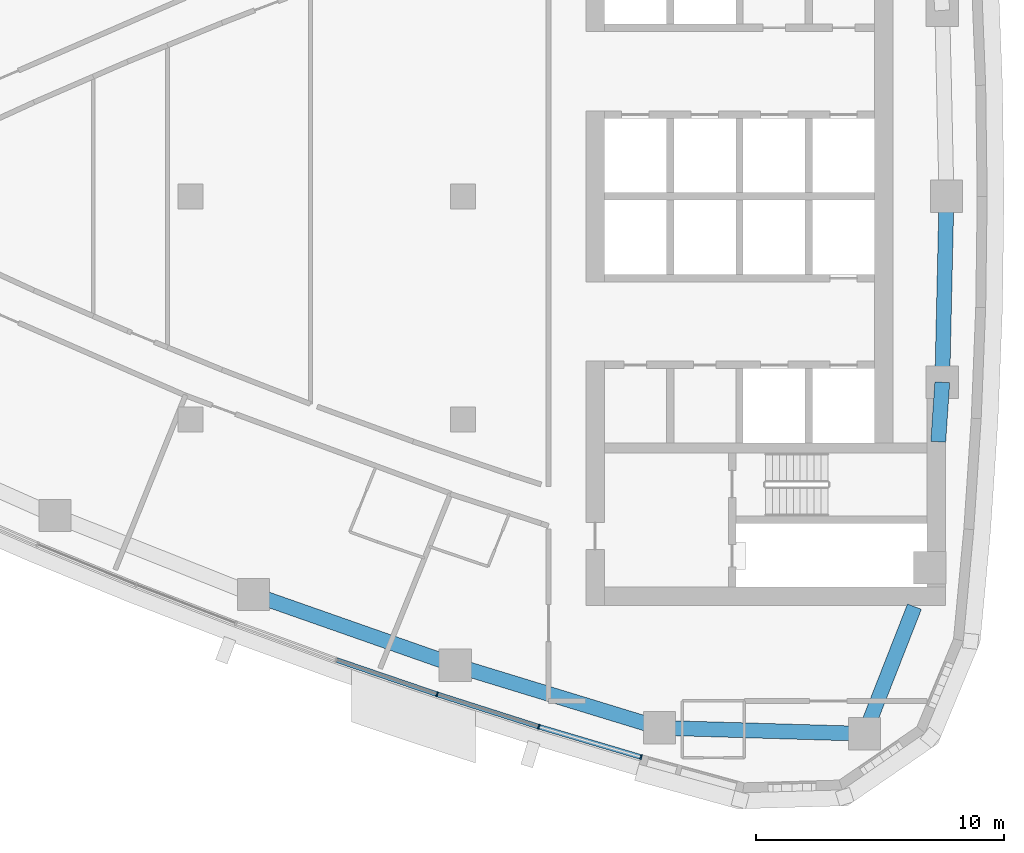
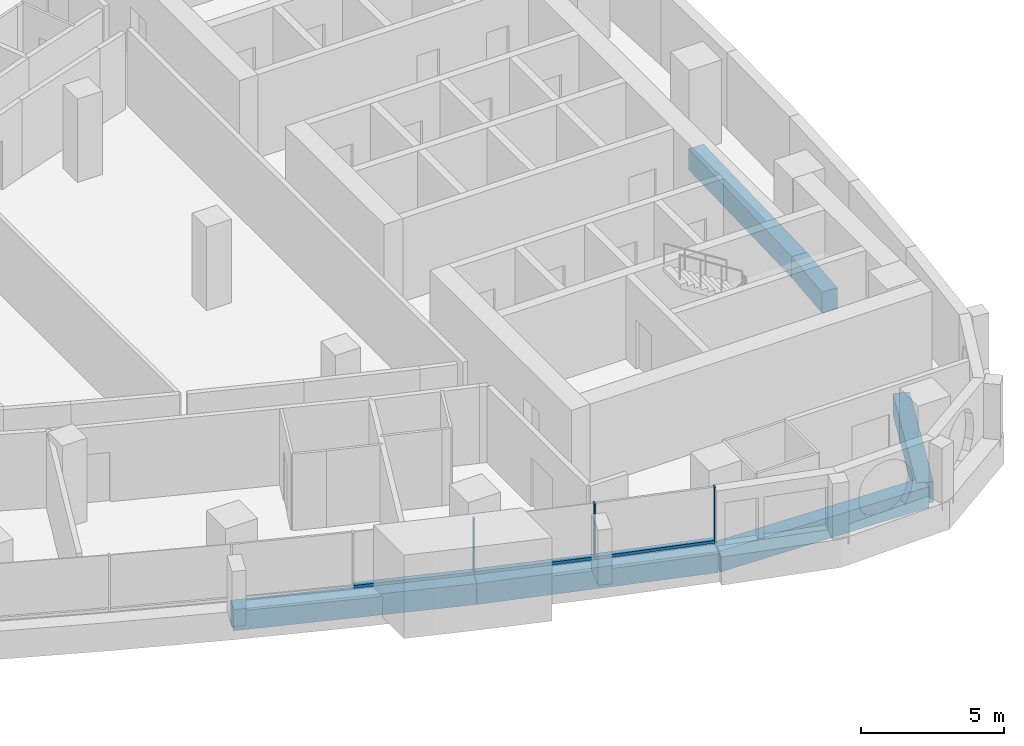
# One storey, part 4 of 16: 6 beams, 6 members, 2 elements without a shape of their own.
"""IFC4 building model written with IfcOpenShell, lengths in metres."""

import ifcopenshell
import ifcopenshell.guid

model = None  # the IFC model being written
_history = None  # IfcOwnerHistory: only IFC2X3 demands one
_inside = {}  # id of a spatial element -> (the spatial element, [elements in it])
_under = {}  # id of a project, library or spatial element -> (it, [spatial elements below it])
_declared = {}  # id of a project -> (the project, [libraries it declares])
_typed = {}  # id of a type object -> (the type object, [elements of that type])
_made_of = {}  # id of a material, layer set ... -> (it, [elements and type objects made of it])


def new_model(schema):
    """Start an empty IFC model of exactly this schema.

    Asked for "IFC4X3", IfcOpenShell would pick the latest addendum, in which some entities
    have other attributes; the version numbers below select the first issue.
    IFC2X3 requires an IfcOwnerHistory on every rooted entity: one is made here for all.
    """
    global model, _history
    if schema == "IFC4X3":
        model = ifcopenshell.file(schema_version=(4, 3, 0, 0))
    else:
        model = ifcopenshell.file(schema=schema)
    _inside.clear()
    _under.clear()
    _declared.clear()
    _typed.clear()
    _made_of.clear()
    _history = None
    if model.schema == "IFC2X3":
        org = make("IfcOrganization", Name="unknown")
        user = make(
            "IfcPersonAndOrganization",
            ThePerson=make("IfcPerson", FamilyName="unknown"),
            TheOrganization=org,
        )
        app = make(
            "IfcApplication",
            ApplicationDeveloper=org,
            Version="unknown",
            ApplicationFullName="unknown",
            ApplicationIdentifier="unknown",
        )
        _history = make(
            "IfcOwnerHistory",
            OwningUser=user,
            OwningApplication=app,
            ChangeAction="ADDED",
            CreationDate=0,
        )
    return model


def make(cls, **values):
    """One entity of the class cls with the attributes given. An attribute that is None is left unset."""
    return model.create_entity(
        cls, **{name: value for name, value in values.items() if value is not None}
    )


def rooted(cls, **values):
    """An entity with a GlobalId (a new one), such as an element, a storey or a relation."""
    return make(cls, GlobalId=ifcopenshell.guid.new(), OwnerHistory=_history, **values)


def si_unit(unit_type, name, prefix=None):
    """IfcSIUnit, for example si_unit("LENGTHUNIT", "METRE", prefix="MILLI")."""
    return make("IfcSIUnit", UnitType=unit_type, Prefix=prefix, Name=name)


def assignment(units):
    """IfcUnitAssignment: the units of a project."""
    return None if units is None else make("IfcUnitAssignment", Units=units)


def point(xyz):
    """IfcCartesianPoint."""
    return None if xyz is None else make("IfcCartesianPoint", Coordinates=xyz)


def direction(xyz):
    """IfcDirection."""
    return None if xyz is None else make("IfcDirection", DirectionRatios=xyz)


def frame(location, z_axis=None, x_axis=None):
    """IfcAxis2Placement3D, a coordinate frame: its origin and axes. An axis left out is left unset."""
    return make(
        "IfcAxis2Placement3D",
        Location=point(location),
        Axis=direction(z_axis),
        RefDirection=direction(x_axis),
    )


def frame_2d(location, x_axis=None):
    """IfcAxis2Placement2D, a coordinate frame in the plane: its origin and x axis."""
    return make(
        "IfcAxis2Placement2D", Location=point(location), RefDirection=direction(x_axis)
    )


def origin():
    """The frame at (0, 0, 0) with its axes left unset."""
    return frame((0.0, 0.0, 0.0))


def origin_2d():
    """The frame at (0, 0) in the plane with its x axis left unset."""
    return frame_2d((0.0, 0.0))


def place(relative_to, where):
    """IfcLocalPlacement: puts the frame where relative to a parent placement (None: the world)."""
    return make(
        "IfcLocalPlacement", PlacementRelTo=relative_to, RelativePlacement=where
    )


def context(
    kind, dimensions, precision=None, world=None, true_north=None, identifier=None
):
    """IfcGeometricRepresentationContext, for example the 3D "Model" context."""
    return make(
        "IfcGeometricRepresentationContext",
        ContextIdentifier=identifier,
        ContextType=kind,
        CoordinateSpaceDimension=dimensions,
        Precision=precision,
        WorldCoordinateSystem=world,
        TrueNorth=true_north,
    )


def subcontext(parent, identifier, kind, view, scale=None):
    """IfcGeometricRepresentationSubContext, for example "Body" below "Model"."""
    return make(
        "IfcGeometricRepresentationSubContext",
        ContextIdentifier=identifier,
        ContextType=kind,
        ParentContext=parent,
        TargetScale=scale,
        TargetView=view,
    )


def project(units=None, contexts=None):
    """IfcProject with its units and contexts."""
    return rooted(
        "IfcProject",
        Name="project",
        RepresentationContexts=contexts,
        UnitsInContext=assignment(units),
    )


def spatial(cls, under=None, at=None, **own):
    """A site, building, storey or space (cls), placed at a placement, below another one or the project."""
    s = rooted(cls, ObjectPlacement=at, **own)
    if under is not None:
        _under.setdefault(under.id(), (under, []))[1].append(s)
    return s


def profile(cls, at=None, kind="AREA", **sizes):
    """A parametric profile (cls). Its sizes go by their IFC names, for example OverallWidth=200.0."""
    return make(cls, ProfileType=kind, Position=at, **sizes)


def rectangle(**sizes):
    """IfcRectangleProfileDef."""
    return profile("IfcRectangleProfileDef", **sizes)


def extrude(swept, where, along, depth):
    """IfcExtrudedAreaSolid: the profile swept, set in the frame where, extruded along a direction by depth."""
    return make(
        "IfcExtrudedAreaSolid",
        SweptArea=swept,
        Position=where,
        ExtrudedDirection=direction(along),
        Depth=depth,
    )


def shape(context_of_items, identifier, shape_type, items):
    """IfcShapeRepresentation: the items that make up one representation, for example the "Body"."""
    return make(
        "IfcShapeRepresentation",
        ContextOfItems=context_of_items,
        RepresentationIdentifier=identifier,
        RepresentationType=shape_type,
        Items=items,
    )


def material(Name=None, Category=None):
    """IfcMaterial."""
    return make("IfcMaterial", Name=Name, Category=Category)


def layer(
    of_material, thickness, ventilated=None, Name=None, Category=None, Priority=None
):
    """IfcMaterialLayer: one layer of a wall or slab, of a material (None: an air gap)."""
    return make(
        "IfcMaterialLayer",
        Material=of_material,
        LayerThickness=thickness,
        IsVentilated=ventilated,
        Name=Name,
        Category=Category,
        Priority=Priority,
    )


def layer_set(layers, Name=None):
    """IfcMaterialLayerSet."""
    return make("IfcMaterialLayerSet", MaterialLayers=layers, LayerSetName=Name)


def material_profile(
    of_material, cross_section, Name=None, Category=None, Priority=None
):
    """IfcMaterialProfile: a cross section and its material."""
    return make(
        "IfcMaterialProfile",
        Name=Name,
        Material=of_material,
        Profile=cross_section,
        Priority=Priority,
        Category=Category,
    )


def profile_set(profiles, Name=None, composite=None):
    """IfcMaterialProfileSet."""
    return make(
        "IfcMaterialProfileSet",
        Name=Name,
        MaterialProfiles=profiles,
        CompositeProfile=composite,
    )


def made_of(thing, what):
    """Note that an element or type object is made of a material, layer set ...; save() writes the relation."""
    if what is not None:
        _made_of.setdefault(what.id(), (what, []))[1].append(thing)
    return thing


def type_object(cls, material=None, **own):
    """A type object (cls), such as IfcWallType, which elements share."""
    return made_of(rooted(cls, **own), material)


def element(
    cls,
    number,
    at=None,
    inside=None,
    cuts=None,
    type_object=None,
    material=None,
    context=None,
    identifier="Body",
    shape_type=None,
    held_by="IfcProductDefinitionShape",
    body=None,
    shapes=None,
    **own,
):
    """One element of the class cls, such as IfcWall. Its Tag is "e" and its number.

    at: its placement. inside: the storey or other place that contains it. cuts: it is an
    opening in that element (IfcRelVoidsElement). A single representation is given by context,
    identifier, shape_type and body (its items); several are given by shapes. held_by: the class
    of the entity that holds the representations. save() writes the other relations.
    """
    e = rooted(cls, Tag="e%d" % number, ObjectPlacement=at, **own)
    if body is not None:
        shapes = [shape(context, identifier, shape_type, body)]
    if shapes is not None:
        e.Representation = make(held_by, Representations=shapes)
    if inside is not None:
        _inside.setdefault(inside.id(), (inside, []))[1].append(e)
    if cuts is not None:
        rooted(
            "IfcRelVoidsElement", RelatingBuildingElement=cuts, RelatedOpeningElement=e
        )
    if type_object is not None:
        _typed.setdefault(type_object.id(), (type_object, []))[1].append(e)
    return made_of(e, material)


def aggregate(whole, parts):
    """IfcRelAggregates: a whole, such as a stair, and the parts it consists of."""
    return rooted("IfcRelAggregates", RelatingObject=whole, RelatedObjects=parts)


def save(model, path):
    """Write the relations noted so far, then the file.

    IfcRelAggregates (storeys below a building ...), IfcRelContainedInSpatialStructure (elements
    in a storey), IfcRelDefinesByType, IfcRelAssociatesMaterial and IfcRelDeclares: one each for
    every whole, place, type object, material and project.
    """
    for whole, parts in _under.values():
        aggregate(whole, parts)
    for where, things in _inside.values():
        rooted(
            "IfcRelContainedInSpatialStructure",
            RelatedElements=things,
            RelatingStructure=where,
        )
    for kind, things in _typed.values():
        rooted("IfcRelDefinesByType", RelatedObjects=things, RelatingType=kind)
    for what, things in _made_of.values():
        rooted("IfcRelAssociatesMaterial", RelatedObjects=things, RelatingMaterial=what)
    for by, libraries in _declared.values():
        rooted("IfcRelDeclares", RelatingContext=by, RelatedDefinitions=libraries)
    model.write(path)


model = new_model("IFC4")

# Units and contexts
model_context = context("Model", 3, precision=1e-05, world=origin(), true_north=direction((0.0, 1.0)))
body_context = subcontext(model_context, "Body", "Model", "MODEL_VIEW")
ifc_project = project(units=[si_unit("LENGTHUNIT", "METRE"), si_unit("AREAUNIT", "SQUARE_METRE"), si_unit("VOLUMEUNIT", "CUBIC_METRE"), si_unit("PLANEANGLEUNIT", "RADIAN"), si_unit("MASSUNIT", "GRAM", prefix="KILO")], contexts=[model_context])

# Site, building, storey
site_placement = place(None, origin())
site = spatial("IfcSite", under=ifc_project, at=site_placement, CompositionType="ELEMENT")
building_placement = place(site_placement, origin())
building = spatial("IfcBuilding", under=site, at=building_placement, Name="Ostrand Prow Hotel Tower", CompositionType="ELEMENT")
storey_placement = place(building_placement, frame((0.0, 0.0, 186.14990234375)))
storey = spatial("IfcBuildingStorey", under=building, at=storey_placement, Name="L46", CompositionType="ELEMENT", Elevation=186.14990234375)

# Beams
ifc_material_1 = material(Name="Concrete C60/75", Category="concrete")
ifc_material_profile_1 = material_profile(ifc_material_1, rectangle(XDim=0.60009765625, YDim=0.89990234375, at=origin_2d()), Name="RC 600x900")
ifc_profile_set_1 = profile_set([ifc_material_profile_1], Name="Concrete C60/75")
beam_type = type_object("IfcBeamType", Name="Edge beam 600x900 C60/75", PredefinedType="SPANDREL", material=ifc_profile_set_1)
for number, where, z_axis, x_axis, name in (
    (1, (36.547119140625, -16.060791015625, -0.75), (0.943593618681, -0.33110584831, 0.0), (0.33110584831, 0.943593618681, 0.0), "Edge beam S4-S5"),
    (2, (44.6826171875, -18.91552734375, -0.75), (0.956245556413, -0.292565267659, 0.0), (0.292565267659, 0.956245556413, 0.0), "Edge beam S5-S6"),
):
    element("IfcBeam", number, at=place(storey_placement, frame(where, z_axis=z_axis, x_axis=x_axis)), inside=storey, type_object=beam_type, Name=name, PredefinedType="SPANDREL", context=body_context, shape_type="SweptSolid", body=[
        extrude(rectangle(XDim=0.60009765625, YDim=0.89990234375, at=origin_2d()), origin(), (0.0, 0.0, 1.0), 8.621826171875),
    ])
beam_1_placement = place(storey_placement, frame((52.92724609375, -21.43798828125, -0.75), z_axis=(0.999575901438, -0.029120735993, 0.0), x_axis=(0.029120735993, 0.999575901438, 0.0)))
element("IfcBeam", 3, at=beam_1_placement, inside=storey, type_object=beam_type, Name="Edge beam S6-SE", PredefinedType="SPANDREL", context=body_context, shape_type="SweptSolid", body=[
    extrude(rectangle(XDim=0.60009765625, YDim=0.89990234375, at=origin_2d()), origin(), (0.0, 0.0, 1.0), 8.274658203125),
])
beam_2_placement = place(storey_placement, frame((61.198486328125, -21.678955078125, -0.75), z_axis=(0.364802049817, 0.931085100541, 0.0), x_axis=(-0.931085100541, 0.364802049817, 0.0)))
element("IfcBeam", 4, at=beam_2_placement, inside=storey, type_object=beam_type, Name="Edge beam SE-B1", PredefinedType="SPANDREL", context=body_context, shape_type="SweptSolid", body=[
    extrude(rectangle(XDim=0.60009765625, YDim=0.89990234375, at=origin_2d()), origin(), (0.0, 0.0, 1.0), 5.508544921875),
])
beam_3_placement = place(storey_placement, frame((64.167236328125, -9.89990234375, -0.75), z_axis=(0.067778284608, 0.997700408006, 0.0), x_axis=(-0.997700408006, 0.067778284608, 0.0)))
element("IfcBeam", 5, at=beam_3_placement, inside=storey, type_object=beam_type, Name="Edge beam B1-B2", PredefinedType="SPANDREL", context=body_context, shape_type="SweptSolid", body=[
    extrude(rectangle(XDim=0.60009765625, YDim=0.89990234375, at=origin_2d()), origin(), (0.0, 0.0, 1.0), 2.40625),
])
beam_4_placement = place(storey_placement, frame((64.330322265625, -7.499267578125, -0.75), z_axis=(0.022620118241, 0.999744132391, 0.0), x_axis=(-0.999744132391, 0.022620118241, 0.0)))
element("IfcBeam", 6, at=beam_4_placement, inside=storey, type_object=beam_type, Name="Edge beam B2-B3", PredefinedType="SPANDREL", context=body_context, shape_type="SweptSolid", body=[
    extrude(rectangle(XDim=0.60009765625, YDim=0.89990234375, at=origin_2d()), origin(), (0.0, 0.0, 1.0), 7.501220703125),
])

# Curtain wall, member
ifc_material_2 = material(Name="Insulated glass in bronze anodised frame", Category="glass")
ifc_layer = layer(ifc_material_2, 0.199951171875)
ifc_layer_set = layer_set([ifc_layer], Name="Insulated glass in bronze anodised frame")
curtain_wall_type = type_object("IfcCurtainWallType", Name="Strip curtain wall, fritted glass over bronze spandrel", PredefinedType="NOTDEFINED", material=ifc_layer_set)
curtain_wall_1_placement = place(storey_placement, origin())
curtain_wall_1 = element("IfcCurtainWall", 7, at=curtain_wall_1_placement, inside=storey, type_object=curtain_wall_type, Name="CW1 run CWS4", PredefinedType="NOTDEFINED")
ifc_material_3 = material(Name="Bronze anodised aluminium", Category="aluminium")
ifc_material_profile_2 = material_profile(ifc_material_3, rectangle(XDim=0.199951171875, YDim=0.06005859375, at=origin_2d()), Name="Mullion 60x200 bronze anodised aluminium")
ifc_profile_set_2 = profile_set([ifc_material_profile_2], Name="Bronze anodised aluminium")
member_type_1 = type_object("IfcMemberType", Name="Mullion 60x200 bronze anodised aluminium", PredefinedType="MULLION", material=ifc_profile_set_2)
member_1_placement = place(storey_placement, frame((43.95361328125, -20.086669921875, 0.900146484375), z_axis=(0.0, 0.0, 1.0), x_axis=(0.322908332404, 0.946430245113, 0.0)))
member_1 = element("IfcMember", 8, at=member_1_placement, type_object=member_type_1, Name="CW1 mullion 3", PredefinedType="MULLION", context=body_context, shape_type="SweptSolid", body=[
    extrude(rectangle(XDim=0.199951171875, YDim=0.06005859375, at=origin_2d()), origin(), (0.0, 0.0, 1.0), 2.349853515625),
])

# Curtain wall, members
curtain_wall_2_placement = place(storey_placement, origin())
curtain_wall_2 = element("IfcCurtainWall", 9, at=curtain_wall_2_placement, inside=storey, type_object=curtain_wall_type, Name="CW1 run CWS5", PredefinedType="NOTDEFINED")
member_2_placement = place(storey_placement, frame((48.055419921875, -21.39453125, 0.900146484375), z_axis=(0.0, 0.0, 1.0), x_axis=(0.284544113619, 0.958662947758, 0.0)))
member_2 = element("IfcMember", 10, at=member_2_placement, type_object=member_type_1, Name="CW1 mullion 2", PredefinedType="MULLION", context=body_context, shape_type="SweptSolid", body=[
    extrude(rectangle(XDim=0.199951171875, YDim=0.06005859375, at=origin_2d()), origin(), (0.0, 0.0, 1.0), 2.349853515625),
])
member_3_placement = place(storey_placement, frame((52.182373046875, -22.619384765625, 0.900146484375), z_axis=(0.0, 0.0, 1.0), x_axis=(0.284544113619, 0.958662947758, 0.0)))
member_3 = element("IfcMember", 11, at=member_3_placement, type_object=member_type_1, Name="CW1 mullion 3", PredefinedType="MULLION", context=body_context, shape_type="SweptSolid", body=[
    extrude(rectangle(XDim=0.199951171875, YDim=0.06005859375, at=origin_2d()), origin(), (0.0, 0.0, 1.0), 2.349853515625),
])

# Member
ifc_material_4 = material(Name="Bronze anodised aluminium", Category="aluminium")
ifc_material_profile_3 = material_profile(ifc_material_4, rectangle(XDim=0.199951171875, YDim=0.1201171875, at=origin_2d()), Name="Transom 120x200 bronze anodised aluminium")
ifc_profile_set_3 = profile_set([ifc_material_profile_3], Name="Bronze anodised aluminium")
member_type_2 = type_object("IfcMemberType", Name="Transom 120x200 bronze anodised aluminium", PredefinedType="USERDEFINED", material=ifc_profile_set_3)
member_4_placement = place(storey_placement, frame((39.90771484375, -18.706298828125, 0.960205078125), z_axis=(0.946422327772, -0.322931536852, 0.0), x_axis=(0.322931536852, 0.946422327772, 0.0)))
member_4 = element("IfcMember", 12, at=member_4_placement, type_object=member_type_2, Name="CW1 transom 2.1", ObjectType="TRANSOM", PredefinedType="USERDEFINED", context=body_context, shape_type="SweptSolid", body=[
    extrude(rectangle(XDim=0.199951171875, YDim=0.1201171875, at=origin_2d()), origin(), (0.0, 0.0, 1.0), 4.2451171875),
])

aggregate(curtain_wall_1, [member_1, member_4])

member_5_placement = place(storey_placement, frame((43.982421875, -20.095947265625, 0.960205078125), z_axis=(0.952737512605, -0.303794720289, 0.0), x_axis=(0.303794720289, 0.952737512605, 0.0)))
member_5 = element("IfcMember", 13, at=member_5_placement, type_object=member_type_2, Name="CW1 transom 1.1", ObjectType="TRANSOM", PredefinedType="USERDEFINED", context=body_context, shape_type="SweptSolid", body=[
    extrude(rectangle(XDim=0.199951171875, YDim=0.1201171875, at=origin_2d()), origin(), (0.0, 0.0, 1.0), 4.244873046875),
])

member_6_placement = place(storey_placement, frame((48.083984375, -21.403076171875, 0.960205078125), z_axis=(0.958661084062, -0.284550392558, 0.0), x_axis=(0.284550392558, 0.958661084062, 0.0)))
member_6 = element("IfcMember", 14, at=member_6_placement, type_object=member_type_2, Name="CW1 transom 2.1", ObjectType="TRANSOM", PredefinedType="USERDEFINED", context=body_context, shape_type="SweptSolid", body=[
    extrude(rectangle(XDim=0.199951171875, YDim=0.1201171875, at=origin_2d()), origin(), (0.0, 0.0, 1.0), 4.245361328125),
])

aggregate(curtain_wall_2, [member_2, member_3, member_5, member_6])

save(model, "model.ifc")
